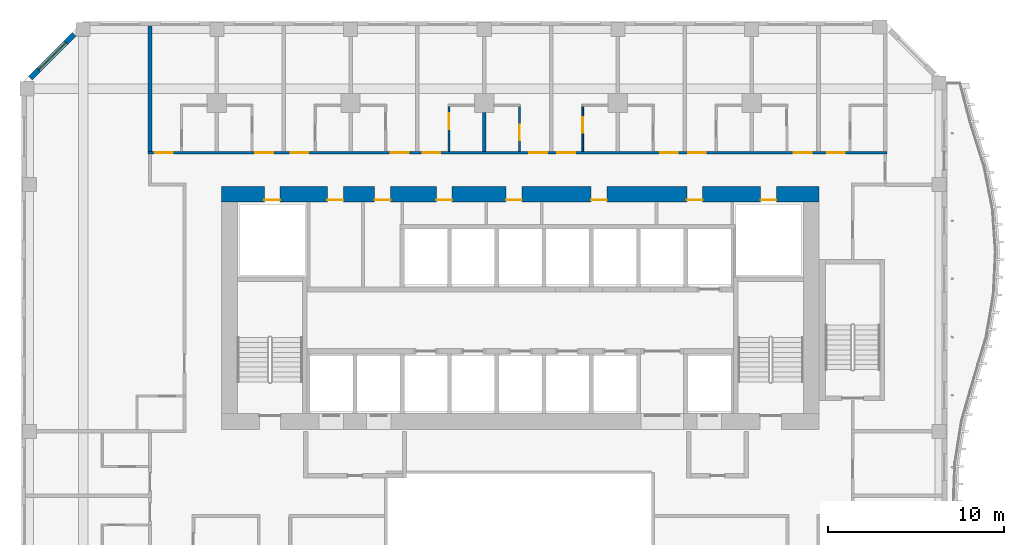
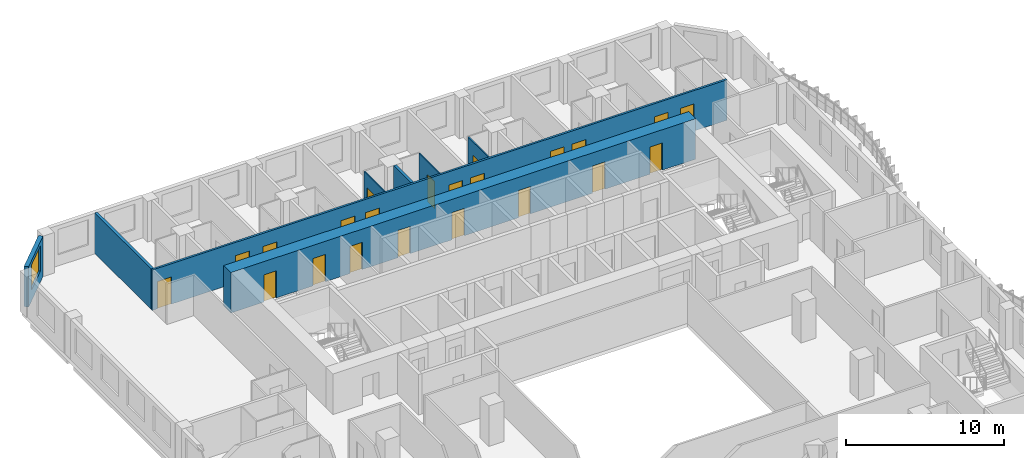
# One storey, part 8 of 22: 22 doors, 8 walls, 1 window, 23 openings.
"""IFC4 building model written with IfcOpenShell, lengths in metres."""

from ifc_helpers import new_model, si_unit, direction, frame, frame_2d, origin, place, context, subcontext, project, spatial, rectangle, extrude, source, transform, mapped, material, layer, layer_set, type_object, element, fill, save


model = new_model("IFC4")

# Units and contexts
model_context = context("Model", 3, precision=1e-05, world=origin(), true_north=direction((0.0, 1.0)))
body_context = subcontext(model_context, "Body", "Model", "MODEL_VIEW")
ifc_project = project(units=[si_unit("LENGTHUNIT", "METRE"), si_unit("AREAUNIT", "SQUARE_METRE"), si_unit("VOLUMEUNIT", "CUBIC_METRE"), si_unit("PLANEANGLEUNIT", "RADIAN"), si_unit("MASSUNIT", "GRAM", prefix="KILO")], contexts=[model_context])

# Site, building, storey
site_placement = place(None, origin())
site = spatial("IfcSite", under=ifc_project, at=site_placement, CompositionType="ELEMENT")
building_placement = place(site_placement, origin())
building = spatial("IfcBuilding", under=site, at=building_placement, Name="Kilnfold Tower and Market Hall", CompositionType="ELEMENT")
storey_placement = place(building_placement, frame((0.0, 0.0, 143.89990234375)))
storey = spatial("IfcBuildingStorey", under=building, at=storey_placement, Name="L32", CompositionType="ELEMENT", Elevation=143.89990234375)

# Wall, openings, doors
ifc_material_1 = material(Name="Gypsum board on steel studs", Category="steel")
ifc_layer_1 = layer(ifc_material_1, 0.14990234375)
ifc_layer_set_1 = layer_set([ifc_layer_1], Name="Gypsum board on steel studs")
wall_type_1 = type_object("IfcWallType", Name="WALL CORRIDOR 150", PredefinedType="PARTITIONING", material=ifc_layer_set_1)
wall_1_placement = place(storey_placement, frame((-20.05908203125, 23.800048828125, 0.0), z_axis=(0.0, 0.0, 1.0), x_axis=(1.0, 0.0, 0.0)))
wall_1 = element("IfcWall", 1, at=wall_1_placement, inside=storey, type_object=wall_type_1, Name="Partition LY21.25", PredefinedType="PARTITIONING", context=body_context, shape_type="SweptSolid", body=[
    extrude(rectangle(XDim=41.9091796875, YDim=0.14990234375, at=frame_2d((20.95458984375, 0.0))), origin(), (0.0, 0.0, 1.0), 3.1201171875),
])
opening_1_placement = place(wall_1_placement, frame((0.40087890625, 0.0, 0.0)))
opening_1 = element("IfcOpeningElement", 2, at=opening_1_placement, cuts=wall_1, Name="Opening D1", PredefinedType="OPENING", context=body_context, shape_type="SweptSolid", body=[
    extrude(rectangle(XDim=1.0, YDim=2.10009765625, at=frame_2d((0.5, 1.050048828125))), frame((0.0, 0.0849609375, 0.0), z_axis=(0.0, -1.0, 0.0), x_axis=(1.0, 0.0, 0.0)), (0.0, 0.0, 1.0), 0.169921875),
])
opening_2_placement = place(wall_1_placement, frame((6.08203125, 0.0, 0.0)))
opening_2 = element("IfcOpeningElement", 3, at=opening_2_placement, cuts=wall_1, Name="Opening D1", PredefinedType="OPENING", context=body_context, shape_type="SweptSolid", body=[
    extrude(rectangle(XDim=1.0, YDim=2.10009765625, at=frame_2d((0.5, 1.050048828125))), frame((0.0, 0.0849609375, 0.0), z_axis=(0.0, -1.0, 0.0), x_axis=(1.0, 0.0, 0.0)), (0.0, 0.0, 1.0), 0.169921875),
])
opening_3_placement = place(wall_1_placement, frame((8.080078125, 0.0, 0.0)))
opening_3 = element("IfcOpeningElement", 4, at=opening_3_placement, cuts=wall_1, Name="Opening D1", PredefinedType="OPENING", context=body_context, shape_type="SweptSolid", body=[
    extrude(rectangle(XDim=1.0, YDim=2.10009765625, at=frame_2d((0.5, 1.050048828125))), frame((0.0, 0.0849609375, 0.0), z_axis=(0.0, -1.0, 0.0), x_axis=(1.0, 0.0, 0.0)), (0.0, 0.0, 1.0), 0.169921875),
])
opening_4_placement = place(wall_1_placement, frame((13.76904296875, 0.0, 0.0)))
opening_4 = element("IfcOpeningElement", 5, at=opening_4_placement, cuts=wall_1, Name="Opening D1", PredefinedType="OPENING", context=body_context, shape_type="SweptSolid", body=[
    extrude(rectangle(XDim=1.0, YDim=2.10009765625, at=frame_2d((0.5, 1.050048828125))), frame((0.0, 0.0849609375, 0.0), z_axis=(0.0, -1.0, 0.0), x_axis=(1.0, 0.0, 0.0)), (0.0, 0.0, 1.0), 0.169921875),
])
opening_5_placement = place(wall_1_placement, frame((15.56005859375, 0.0, 0.0)))
opening_5 = element("IfcOpeningElement", 6, at=opening_5_placement, cuts=wall_1, Name="Opening D1", PredefinedType="OPENING", context=body_context, shape_type="SweptSolid", body=[
    extrude(rectangle(XDim=1.0, YDim=2.10009765625, at=frame_2d((0.5, 1.050048828125))), frame((0.0, 0.0849609375, 0.0), z_axis=(0.0, -1.0, 0.0), x_axis=(1.0, 0.0, 0.0)), (0.0, 0.0, 1.0), 0.169921875),
])
opening_6_placement = place(wall_1_placement, frame((21.625, 0.0, 0.0)))
opening_6 = element("IfcOpeningElement", 7, at=opening_6_placement, cuts=wall_1, Name="Opening D1", PredefinedType="OPENING", context=body_context, shape_type="SweptSolid", body=[
    extrude(rectangle(XDim=1.0, YDim=2.10009765625, at=frame_2d((0.5, 1.050048828125))), frame((0.0, 0.0849609375, 0.0), z_axis=(0.0, -1.0, 0.0), x_axis=(1.0, 0.0, 0.0)), (0.0, 0.0, 1.0), 0.169921875),
])
opening_7_placement = place(wall_1_placement, frame((23.2119140625, 0.0, 0.0)))
opening_7 = element("IfcOpeningElement", 8, at=opening_7_placement, cuts=wall_1, Name="Opening D1", PredefinedType="OPENING", context=body_context, shape_type="SweptSolid", body=[
    extrude(rectangle(XDim=1.0, YDim=2.10009765625, at=frame_2d((0.5, 1.050048828125))), frame((0.0, 0.0849609375, 0.0), z_axis=(0.0, -1.0, 0.0), x_axis=(1.0, 0.0, 0.0)), (0.0, 0.0, 1.0), 0.169921875),
])
opening_8_placement = place(wall_1_placement, frame((29.0380859375, 0.0, 0.0)))
opening_8 = element("IfcOpeningElement", 9, at=opening_8_placement, cuts=wall_1, Name="Opening D1", PredefinedType="OPENING", context=body_context, shape_type="SweptSolid", body=[
    extrude(rectangle(XDim=1.0, YDim=2.10009765625, at=frame_2d((0.5, 1.050048828125))), frame((0.0, 0.0849609375, 0.0), z_axis=(0.0, -1.0, 0.0), x_axis=(1.0, 0.0, 0.0)), (0.0, 0.0, 1.0), 0.169921875),
])
opening_9_placement = place(wall_1_placement, frame((30.6240234375, 0.0, 0.0)))
opening_9 = element("IfcOpeningElement", 10, at=opening_9_placement, cuts=wall_1, Name="Opening D1", PredefinedType="OPENING", context=body_context, shape_type="SweptSolid", body=[
    extrude(rectangle(XDim=1.0, YDim=2.10009765625, at=frame_2d((0.5, 1.050048828125))), frame((0.0, 0.0849609375, 0.0), z_axis=(0.0, -1.0, 0.0), x_axis=(1.0, 0.0, 0.0)), (0.0, 0.0, 1.0), 0.169921875),
])
opening_10_placement = place(wall_1_placement, frame((36.6220703125, 0.0, 0.0)))
opening_10 = element("IfcOpeningElement", 11, at=opening_10_placement, cuts=wall_1, Name="Opening D1", PredefinedType="OPENING", context=body_context, shape_type="SweptSolid", body=[
    extrude(rectangle(XDim=1.0, YDim=2.10009765625, at=frame_2d((0.5, 1.050048828125))), frame((0.0, 0.0849609375, 0.0), z_axis=(0.0, -1.0, 0.0), x_axis=(1.0, 0.0, 0.0)), (0.0, 0.0, 1.0), 0.169921875),
])
opening_11_placement = place(wall_1_placement, frame((38.51611328125, 0.0, 0.0)))
opening_11 = element("IfcOpeningElement", 12, at=opening_11_placement, cuts=wall_1, Name="Opening D1", PredefinedType="OPENING", context=body_context, shape_type="SweptSolid", body=[
    extrude(rectangle(XDim=1.0, YDim=2.10009765625, at=frame_2d((0.5, 1.050048828125))), frame((0.0, 0.0849609375, 0.0), z_axis=(0.0, -1.0, 0.0), x_axis=(1.0, 0.0, 0.0)), (0.0, 0.0, 1.0), 0.169921875),
])
ifc_material_2 = material(Name="Timber veneer door leaf in steel frame", Category="steel")
door_type_1 = type_object("IfcDoorType", Name="DOOR ENTRY 1000 X2100", OperationType="NOTDEFINED", PredefinedType="DOOR", material=ifc_material_2)
door_1_placement = place(opening_1_placement, origin())
door_1 = element("IfcDoor", 13, at=door_1_placement, inside=storey, type_object=door_type_1, Name="Door D1", OperationType="SINGLE_SWING_RIGHT", OverallHeight=2.10009765625, OverallWidth=1.0, PredefinedType="DOOR", context=body_context, shape_type="SweptSolid", body=[
    extrude(rectangle(XDim=1.0, YDim=2.10009765625, at=frame_2d((0.5, 1.050048828125))), frame((0.0, 0.02490234375, 0.0), z_axis=(0.0, -1.0, 0.0), x_axis=(1.0, 0.0, 0.0)), (0.0, 0.0, 1.0), 0.050048828125),
])
fill(opening_1, door_1)
door_2_placement = place(opening_2_placement, origin())
door_2 = element("IfcDoor", 14, at=door_2_placement, inside=storey, type_object=door_type_1, Name="Door D1", OperationType="SINGLE_SWING_LEFT", OverallHeight=2.10009765625, OverallWidth=1.0, PredefinedType="DOOR", context=body_context, shape_type="SweptSolid", body=[
    extrude(rectangle(XDim=1.0, YDim=2.10009765625, at=frame_2d((0.5, 1.050048828125))), frame((0.0, 0.02490234375, 0.0), z_axis=(0.0, -1.0, 0.0), x_axis=(1.0, 0.0, 0.0)), (0.0, 0.0, 1.0), 0.050048828125),
])
fill(opening_2, door_2)
door_3_placement = place(opening_3_placement, origin())
door_3 = element("IfcDoor", 15, at=door_3_placement, inside=storey, type_object=door_type_1, Name="Door D1", OperationType="SINGLE_SWING_LEFT", OverallHeight=2.10009765625, OverallWidth=1.0, PredefinedType="DOOR", context=body_context, shape_type="SweptSolid", body=[
    extrude(rectangle(XDim=1.0, YDim=2.10009765625, at=frame_2d((0.5, 1.050048828125))), frame((0.0, 0.02490234375, 0.0), z_axis=(0.0, -1.0, 0.0), x_axis=(1.0, 0.0, 0.0)), (0.0, 0.0, 1.0), 0.050048828125),
])
fill(opening_3, door_3)
door_4_placement = place(opening_4_placement, origin())
door_4 = element("IfcDoor", 16, at=door_4_placement, inside=storey, type_object=door_type_1, Name="Door D1", OperationType="SINGLE_SWING_RIGHT", OverallHeight=2.10009765625, OverallWidth=1.0, PredefinedType="DOOR", context=body_context, shape_type="SweptSolid", body=[
    extrude(rectangle(XDim=1.0, YDim=2.10009765625, at=frame_2d((0.5, 1.050048828125))), frame((0.0, 0.02490234375, 0.0), z_axis=(0.0, -1.0, 0.0), x_axis=(1.0, 0.0, 0.0)), (0.0, 0.0, 1.0), 0.050048828125),
])
fill(opening_4, door_4)
door_5_placement = place(opening_5_placement, origin())
door_5 = element("IfcDoor", 17, at=door_5_placement, inside=storey, type_object=door_type_1, Name="Door D1", OperationType="SINGLE_SWING_RIGHT", OverallHeight=2.10009765625, OverallWidth=1.0, PredefinedType="DOOR", context=body_context, shape_type="SweptSolid", body=[
    extrude(rectangle(XDim=1.0, YDim=2.10009765625, at=frame_2d((0.5, 1.050048828125))), frame((0.0, 0.02490234375, 0.0), z_axis=(0.0, -1.0, 0.0), x_axis=(1.0, 0.0, 0.0)), (0.0, 0.0, 1.0), 0.050048828125),
])
fill(opening_5, door_5)
door_6_placement = place(opening_6_placement, origin())
door_6 = element("IfcDoor", 18, at=door_6_placement, inside=storey, type_object=door_type_1, Name="Door D1", OperationType="SINGLE_SWING_RIGHT", OverallHeight=2.10009765625, OverallWidth=1.0, PredefinedType="DOOR", context=body_context, shape_type="SweptSolid", body=[
    extrude(rectangle(XDim=1.0, YDim=2.10009765625, at=frame_2d((0.5, 1.050048828125))), frame((0.0, 0.02490234375, 0.0), z_axis=(0.0, -1.0, 0.0), x_axis=(1.0, 0.0, 0.0)), (0.0, 0.0, 1.0), 0.050048828125),
])
fill(opening_6, door_6)
door_7_placement = place(opening_7_placement, origin())
door_7 = element("IfcDoor", 19, at=door_7_placement, inside=storey, type_object=door_type_1, Name="Door D1", OperationType="SINGLE_SWING_LEFT", OverallHeight=2.10009765625, OverallWidth=1.0, PredefinedType="DOOR", context=body_context, shape_type="SweptSolid", body=[
    extrude(rectangle(XDim=1.0, YDim=2.10009765625, at=frame_2d((0.5, 1.050048828125))), frame((0.0, 0.02490234375, 0.0), z_axis=(0.0, -1.0, 0.0), x_axis=(1.0, 0.0, 0.0)), (0.0, 0.0, 1.0), 0.050048828125),
])
fill(opening_7, door_7)
door_8_placement = place(opening_8_placement, origin())
door_8 = element("IfcDoor", 20, at=door_8_placement, inside=storey, type_object=door_type_1, Name="Door D1", OperationType="SINGLE_SWING_LEFT", OverallHeight=2.10009765625, OverallWidth=1.0, PredefinedType="DOOR", context=body_context, shape_type="SweptSolid", body=[
    extrude(rectangle(XDim=1.0, YDim=2.10009765625, at=frame_2d((0.5, 1.050048828125))), frame((0.0, 0.02490234375, 0.0), z_axis=(0.0, -1.0, 0.0), x_axis=(1.0, 0.0, 0.0)), (0.0, 0.0, 1.0), 0.050048828125),
])
fill(opening_8, door_8)
door_9_placement = place(opening_9_placement, origin())
door_9 = element("IfcDoor", 21, at=door_9_placement, inside=storey, type_object=door_type_1, Name="Door D1", OperationType="SINGLE_SWING_LEFT", OverallHeight=2.10009765625, OverallWidth=1.0, PredefinedType="DOOR", context=body_context, shape_type="SweptSolid", body=[
    extrude(rectangle(XDim=1.0, YDim=2.10009765625, at=frame_2d((0.5, 1.050048828125))), frame((0.0, 0.02490234375, 0.0), z_axis=(0.0, -1.0, 0.0), x_axis=(1.0, 0.0, 0.0)), (0.0, 0.0, 1.0), 0.050048828125),
])
fill(opening_9, door_9)
door_10_placement = place(opening_10_placement, origin())
door_10 = element("IfcDoor", 22, at=door_10_placement, inside=storey, type_object=door_type_1, Name="Door D1", OperationType="SINGLE_SWING_LEFT", OverallHeight=2.10009765625, OverallWidth=1.0, PredefinedType="DOOR", context=body_context, shape_type="SweptSolid", body=[
    extrude(rectangle(XDim=1.0, YDim=2.10009765625, at=frame_2d((0.5, 1.050048828125))), frame((0.0, 0.02490234375, 0.0), z_axis=(0.0, -1.0, 0.0), x_axis=(1.0, 0.0, 0.0)), (0.0, 0.0, 1.0), 0.050048828125),
])
fill(opening_10, door_10)
door_11_placement = place(opening_11_placement, origin())
door_11 = element("IfcDoor", 23, at=door_11_placement, inside=storey, type_object=door_type_1, Name="Door D1", OperationType="SINGLE_SWING_RIGHT", OverallHeight=2.10009765625, OverallWidth=1.0, PredefinedType="DOOR", context=body_context, shape_type="SweptSolid", body=[
    extrude(rectangle(XDim=1.0, YDim=2.10009765625, at=frame_2d((0.5, 1.050048828125))), frame((0.0, 0.02490234375, 0.0), z_axis=(0.0, -1.0, 0.0), x_axis=(1.0, 0.0, 0.0)), (0.0, 0.0, 1.0), 0.050048828125),
])
fill(opening_11, door_11)

# Wall, opening, door
ifc_material_3 = material(Name="Gypsum board on steel studs", Category="steel")
ifc_layer_2 = layer(ifc_material_3, 0.10009765625)
ifc_layer_set_2 = layer_set([ifc_layer_2], Name="Gypsum board on steel studs")
wall_type_2 = type_object("IfcWallType", Name="WALL PARTITION 100", PredefinedType="PARTITIONING", material=ifc_layer_set_2)
wall_2_placement = place(storey_placement, frame((-3.0, 23.876953125, 0.0), z_axis=(0.0, 0.0, 1.0), x_axis=(0.0, 1.0, 0.0)))
wall_2 = element("IfcWall", 24, at=wall_2_placement, inside=storey, type_object=wall_type_2, Name="Partition LY21.98", PredefinedType="PARTITIONING", context=body_context, shape_type="SweptSolid", body=[
    extrude(rectangle(XDim=2.574951171875, YDim=0.10009765625, at=frame_2d((1.28759765625, 0.0))), origin(), (0.0, 0.0, 1.0), 3.1201171875),
])
opening_12_placement = place(wall_2_placement, frame((1.262939453125, 0.0, 0.0)))
opening_12 = element("IfcOpeningElement", 25, at=opening_12_placement, cuts=wall_2, Name="Opening D3", PredefinedType="OPENING", context=body_context, shape_type="SweptSolid", body=[
    extrude(rectangle(XDim=0.89990234375, YDim=2.10009765625, at=frame_2d((0.449951171875, 1.050048828125))), frame((0.0, 0.06005859375, 0.0), z_axis=(0.0, -1.0, 0.0), x_axis=(1.0, 0.0, 0.0)), (0.0, 0.0, 1.0), 0.1201171875),
])
ifc_material_4 = material(Name="Timber veneer door leaf in steel frame", Category="steel")
door_type_2 = type_object("IfcDoorType", Name="DOOR WC 900 X2100", OperationType="NOTDEFINED", PredefinedType="DOOR", material=ifc_material_4)
door_12_placement = place(opening_12_placement, origin())
door_12 = element("IfcDoor", 26, at=door_12_placement, inside=storey, type_object=door_type_2, Name="Door D3", OperationType="SINGLE_SWING_LEFT", OverallHeight=2.10009765625, OverallWidth=0.89990234375, PredefinedType="DOOR", context=body_context, shape_type="SweptSolid", body=[
    extrude(rectangle(XDim=0.89990234375, YDim=2.10009765625, at=frame_2d((0.449951171875, 1.050048828125))), frame((0.0, 0.02490234375, 0.0), z_axis=(0.0, -1.0, 0.0), x_axis=(1.0, 0.0, 0.0)), (0.0, 0.0, 1.0), 0.050048828125),
])
fill(opening_12, door_12)

wall_3_placement = place(storey_placement, frame((1.0, 23.876953125, 0.0), z_axis=(0.0, 0.0, 1.0), x_axis=(0.0, 1.0, 0.0)))
wall_3 = element("IfcWall", 27, at=wall_3_placement, inside=storey, type_object=wall_type_2, Name="Partition LY21.102", PredefinedType="PARTITIONING", context=body_context, shape_type="SweptSolid", body=[
    extrude(rectangle(XDim=2.574951171875, YDim=0.10009765625, at=frame_2d((1.28759765625, 0.0))), origin(), (0.0, 0.0, 1.0), 3.1201171875),
])
opening_13_placement = place(wall_3_placement, frame((0.625, 0.0, 0.0)))
opening_13 = element("IfcOpeningElement", 28, at=opening_13_placement, cuts=wall_3, Name="Opening D3", PredefinedType="OPENING", context=body_context, shape_type="SweptSolid", body=[
    extrude(rectangle(XDim=0.89990234375, YDim=2.10009765625, at=frame_2d((0.449951171875, 1.050048828125))), frame((0.0, 0.06005859375, 0.0), z_axis=(0.0, -1.0, 0.0), x_axis=(1.0, 0.0, 0.0)), (0.0, 0.0, 1.0), 0.1201171875),
])
door_13_placement = place(opening_13_placement, origin())
door_13 = element("IfcDoor", 29, at=door_13_placement, inside=storey, type_object=door_type_2, Name="Door D3", OperationType="SINGLE_SWING_LEFT", OverallHeight=2.10009765625, OverallWidth=0.89990234375, PredefinedType="DOOR", context=body_context, shape_type="SweptSolid", body=[
    extrude(rectangle(XDim=0.89990234375, YDim=2.10009765625, at=frame_2d((0.449951171875, 1.050048828125))), frame((0.0, 0.02490234375, 0.0), z_axis=(0.0, -1.0, 0.0), x_axis=(1.0, 0.0, 0.0)), (0.0, 0.0, 1.0), 0.050048828125),
])
fill(opening_13, door_13)

wall_4_placement = place(storey_placement, frame((4.5830078125, 23.876953125, 0.0), z_axis=(0.0, 0.0, 1.0), x_axis=(0.0, 1.0, 0.0)))
wall_4 = element("IfcWall", 30, at=wall_4_placement, inside=storey, type_object=wall_type_2, Name="Partition LY21.105", PredefinedType="PARTITIONING", context=body_context, shape_type="SweptSolid", body=[
    extrude(rectangle(XDim=2.574951171875, YDim=0.10009765625, at=frame_2d((1.28759765625, 0.0))), origin(), (0.0, 0.0, 1.0), 3.1201171875),
])
opening_14_placement = place(wall_4_placement, frame((1.050048828125, 0.0, 0.0)))
opening_14 = element("IfcOpeningElement", 31, at=opening_14_placement, cuts=wall_4, Name="Opening D3", PredefinedType="OPENING", context=body_context, shape_type="SweptSolid", body=[
    extrude(rectangle(XDim=0.89990234375, YDim=2.10009765625, at=frame_2d((0.449951171875, 1.050048828125))), frame((0.0, 0.06005859375, 0.0), z_axis=(0.0, -1.0, 0.0), x_axis=(1.0, 0.0, 0.0)), (0.0, 0.0, 1.0), 0.1201171875),
])
door_14_placement = place(opening_14_placement, origin())
door_14 = element("IfcDoor", 32, at=door_14_placement, inside=storey, type_object=door_type_2, Name="Door D3", OperationType="SINGLE_SWING_LEFT", OverallHeight=2.10009765625, OverallWidth=0.89990234375, PredefinedType="DOOR", context=body_context, shape_type="SweptSolid", body=[
    extrude(rectangle(XDim=0.89990234375, YDim=2.10009765625, at=frame_2d((0.449951171875, 1.050048828125))), frame((0.0, 0.02490234375, 0.0), z_axis=(0.0, -1.0, 0.0), x_axis=(1.0, 0.0, 0.0)), (0.0, 0.0, 1.0), 0.050048828125),
])
fill(opening_14, door_14)

# Walls
ifc_material_5 = material(Name="Gypsum board on steel studs", Category="steel")
ifc_layer_3 = layer(ifc_material_5, 0.199951171875)
ifc_layer_set_3 = layer_set([ifc_layer_3], Name="Gypsum board on steel studs")
wall_type_3 = type_object("IfcWallType", Name="WALL PARTY 200", PredefinedType="PARTITIONING", material=ifc_layer_set_3)
wall_5_placement = place(storey_placement, frame((-19.958984375, 23.876953125, 0.0), z_axis=(0.0, 0.0, 1.0), x_axis=(0.0, 1.0, 0.0)))
element("IfcWall", 33, at=wall_5_placement, inside=storey, type_object=wall_type_3, Name="Partition LY21.82", PredefinedType="PARTITIONING", context=body_context, shape_type="SweptSolid", body=[
    extrude(rectangle(XDim=7.123046875, YDim=0.199951171875, at=frame_2d((3.5615234375, 0.0))), origin(), (0.0, 0.0, 1.0), 3.1201171875),
])
wall_6_placement = place(storey_placement, frame((-1.0, 23.876953125, 0.0), z_axis=(0.0, 0.0, 1.0), x_axis=(0.0, 1.0, 0.0)))
element("IfcWall", 34, at=wall_6_placement, inside=storey, type_object=wall_type_3, Name="Partition LY21.100", PredefinedType="PARTITIONING", context=body_context, shape_type="SweptSolid", body=[
    extrude(rectangle(XDim=2.197998046875, YDim=0.199951171875, at=frame_2d((1.09912109375, 0.0))), origin(), (0.0, 0.0, 1.0), 3.1201171875),
])

# Wall, openings, doors
ifc_material_6 = material(Name="Concrete C70", Category="concrete")
ifc_layer_4 = layer(ifc_material_6, 0.89990234375)
ifc_layer_set_4 = layer_set([ifc_layer_4], Name="Concrete C70")
wall_type_4 = type_object("IfcWallType", Name="CORE WALL 900 C70", PredefinedType="SHEAR", material=ifc_layer_set_4)
shared_shape_1 = source(origin(), body_context, "Body", "SweptSolid", [
    extrude(rectangle(XDim=33.89990234375, YDim=0.89990234375, at=frame_2d((16.949951171875, 0.0))), origin(), (0.0, 0.0, 1.0), 3.1201171875),
])
wall_7_placement = place(storey_placement, frame((-15.89990234375, 21.449951171875, 0.0), z_axis=(0.0, 0.0, 1.0), x_axis=(1.0, 0.0, 0.0)))
wall_7 = element("IfcWall", 35, at=wall_7_placement, inside=storey, type_object=wall_type_4, Name="Core outer wall north", PredefinedType="SHEAR", context=body_context, shape_type="MappedRepresentation", body=[
    mapped(shared_shape_1, transform((0.0, 0.0, 0.0))),
])
opening_15_placement = place(wall_7_placement, frame((6.0078125, 0.0, 0.0)))
opening_15 = element("IfcOpeningElement", 36, at=opening_15_placement, cuts=wall_7, Name="Opening KD1", PredefinedType="OPENING", context=body_context, shape_type="SweptSolid", body=[
    extrude(rectangle(XDim=0.89990234375, YDim=2.10009765625, at=frame_2d((0.449951171875, 1.050048828125))), frame((0.0, 0.4599609375, 0.0), z_axis=(0.0, -1.0, 0.0), x_axis=(1.0, 0.0, 0.0)), (0.0, 0.0, 1.0), 0.919921875),
])
opening_16_placement = place(wall_7_placement, frame((8.687744140625, 0.0, 0.0)))
opening_16 = element("IfcOpeningElement", 37, at=opening_16_placement, cuts=wall_7, Name="Opening KD1", PredefinedType="OPENING", context=body_context, shape_type="SweptSolid", body=[
    extrude(rectangle(XDim=0.89990234375, YDim=2.10009765625, at=frame_2d((0.449951171875, 1.050048828125))), frame((0.0, 0.4599609375, 0.0), z_axis=(0.0, -1.0, 0.0), x_axis=(1.0, 0.0, 0.0)), (0.0, 0.0, 1.0), 0.919921875),
])
opening_17_placement = place(wall_7_placement, frame((12.185302734375, 0.0, 0.0)))
opening_17 = element("IfcOpeningElement", 38, at=opening_17_placement, cuts=wall_7, Name="Opening KD1", PredefinedType="OPENING", context=body_context, shape_type="SweptSolid", body=[
    extrude(rectangle(XDim=0.89990234375, YDim=2.10009765625, at=frame_2d((0.449951171875, 1.050048828125))), frame((0.0, 0.4599609375, 0.0), z_axis=(0.0, -1.0, 0.0), x_axis=(1.0, 0.0, 0.0)), (0.0, 0.0, 1.0), 0.919921875),
])
opening_18_placement = place(wall_7_placement, frame((16.13818359375, 0.0, 0.0)))
opening_18 = element("IfcOpeningElement", 39, at=opening_18_placement, cuts=wall_7, Name="Opening KD1", PredefinedType="OPENING", context=body_context, shape_type="SweptSolid", body=[
    extrude(rectangle(XDim=0.89990234375, YDim=2.10009765625, at=frame_2d((0.449951171875, 1.050048828125))), frame((0.0, 0.4599609375, 0.0), z_axis=(0.0, -1.0, 0.0), x_axis=(1.0, 0.0, 0.0)), (0.0, 0.0, 1.0), 0.919921875),
])
opening_19_placement = place(wall_7_placement, frame((20.962158203125, 0.0, 0.0)))
opening_19 = element("IfcOpeningElement", 40, at=opening_19_placement, cuts=wall_7, Name="Opening KD1", PredefinedType="OPENING", context=body_context, shape_type="SweptSolid", body=[
    extrude(rectangle(XDim=0.89990234375, YDim=2.10009765625, at=frame_2d((0.449951171875, 1.050048828125))), frame((0.0, 0.4599609375, 0.0), z_axis=(0.0, -1.0, 0.0), x_axis=(1.0, 0.0, 0.0)), (0.0, 0.0, 1.0), 0.919921875),
])
opening_20_placement = place(wall_7_placement, frame((26.38916015625, 0.0, 0.0)))
opening_20 = element("IfcOpeningElement", 41, at=opening_20_placement, cuts=wall_7, Name="Opening KD1", PredefinedType="OPENING", context=body_context, shape_type="SweptSolid", body=[
    extrude(rectangle(XDim=0.89990234375, YDim=2.10009765625, at=frame_2d((0.449951171875, 1.050048828125))), frame((0.0, 0.4599609375, 0.0), z_axis=(0.0, -1.0, 0.0), x_axis=(1.0, 0.0, 0.0)), (0.0, 0.0, 1.0), 0.919921875),
])
opening_21_placement = place(wall_7_placement, frame((2.425048828125, 0.0, 0.0)))
opening_21 = element("IfcOpeningElement", 42, at=opening_21_placement, cuts=wall_7, Name="Opening KD1", PredefinedType="OPENING", context=body_context, shape_type="SweptSolid", body=[
    extrude(rectangle(XDim=0.89990234375, YDim=2.10009765625, at=frame_2d((0.449951171875, 1.050048828125))), frame((0.0, 0.4599609375, 0.0), z_axis=(0.0, -1.0, 0.0), x_axis=(1.0, 0.0, 0.0)), (0.0, 0.0, 1.0), 0.919921875),
])
opening_22_placement = place(wall_7_placement, frame((30.574951171875, 0.0, 0.0)))
opening_22 = element("IfcOpeningElement", 43, at=opening_22_placement, cuts=wall_7, Name="Opening KD1", PredefinedType="OPENING", context=body_context, shape_type="SweptSolid", body=[
    extrude(rectangle(XDim=0.89990234375, YDim=2.10009765625, at=frame_2d((0.449951171875, 1.050048828125))), frame((0.0, 0.4599609375, 0.0), z_axis=(0.0, -1.0, 0.0), x_axis=(1.0, 0.0, 0.0)), (0.0, 0.0, 1.0), 0.919921875),
])
ifc_material_7 = material(Name="Steel door set with fire-resisting leaf", Category="steel")
door_type_3 = type_object("IfcDoorType", Name="SERVICE DOOR 900X2100", OperationType="NOTDEFINED", PredefinedType="DOOR", material=ifc_material_7)
door_15_placement = place(opening_15_placement, origin())
door_15 = element("IfcDoor", 44, at=door_15_placement, inside=storey, type_object=door_type_3, Name="Core service door", OperationType="SINGLE_SWING_RIGHT", OverallHeight=2.10009765625, OverallWidth=0.89990234375, PredefinedType="DOOR", context=body_context, shape_type="SweptSolid", body=[
    extrude(rectangle(XDim=0.89990234375, YDim=2.10009765625, at=frame_2d((0.449951171875, 1.050048828125))), frame((0.0, -0.30517578125, 0.0), z_axis=(0.0, -1.0, 0.0), x_axis=(1.0, 0.0, 0.0)), (0.0, 0.0, 1.0), 0.050048828125),
])
fill(opening_15, door_15)
door_16_placement = place(opening_16_placement, origin())
door_16 = element("IfcDoor", 45, at=door_16_placement, inside=storey, type_object=door_type_3, Name="Core service door", OperationType="SINGLE_SWING_LEFT", OverallHeight=2.10009765625, OverallWidth=0.89990234375, PredefinedType="DOOR", context=body_context, shape_type="SweptSolid", body=[
    extrude(rectangle(XDim=0.89990234375, YDim=2.10009765625, at=frame_2d((0.449951171875, 1.050048828125))), frame((0.0, -0.30517578125, 0.0), z_axis=(0.0, -1.0, 0.0), x_axis=(1.0, 0.0, 0.0)), (0.0, 0.0, 1.0), 0.050048828125),
])
fill(opening_16, door_16)
door_17_placement = place(opening_17_placement, origin())
door_17 = element("IfcDoor", 46, at=door_17_placement, inside=storey, type_object=door_type_3, Name="Core service door", OperationType="SINGLE_SWING_RIGHT", OverallHeight=2.10009765625, OverallWidth=0.89990234375, PredefinedType="DOOR", context=body_context, shape_type="SweptSolid", body=[
    extrude(rectangle(XDim=0.89990234375, YDim=2.10009765625, at=frame_2d((0.449951171875, 1.050048828125))), frame((0.0, -0.30517578125, 0.0), z_axis=(0.0, -1.0, 0.0), x_axis=(1.0, 0.0, 0.0)), (0.0, 0.0, 1.0), 0.050048828125),
])
fill(opening_17, door_17)
door_18_placement = place(opening_18_placement, origin())
door_18 = element("IfcDoor", 47, at=door_18_placement, inside=storey, type_object=door_type_3, Name="Core service door", OperationType="SINGLE_SWING_LEFT", OverallHeight=2.10009765625, OverallWidth=0.89990234375, PredefinedType="DOOR", context=body_context, shape_type="SweptSolid", body=[
    extrude(rectangle(XDim=0.89990234375, YDim=2.10009765625, at=frame_2d((0.449951171875, 1.050048828125))), frame((0.0, -0.30517578125, 0.0), z_axis=(0.0, -1.0, 0.0), x_axis=(1.0, 0.0, 0.0)), (0.0, 0.0, 1.0), 0.050048828125),
])
fill(opening_18, door_18)
door_19_placement = place(opening_19_placement, origin())
door_19 = element("IfcDoor", 48, at=door_19_placement, inside=storey, type_object=door_type_3, Name="Core service door", OperationType="SINGLE_SWING_RIGHT", OverallHeight=2.10009765625, OverallWidth=0.89990234375, PredefinedType="DOOR", context=body_context, shape_type="SweptSolid", body=[
    extrude(rectangle(XDim=0.89990234375, YDim=2.10009765625, at=frame_2d((0.449951171875, 1.050048828125))), frame((0.0, -0.30517578125, 0.0), z_axis=(0.0, -1.0, 0.0), x_axis=(1.0, 0.0, 0.0)), (0.0, 0.0, 1.0), 0.050048828125),
])
fill(opening_19, door_19)
door_20_placement = place(opening_20_placement, origin())
door_20 = element("IfcDoor", 49, at=door_20_placement, inside=storey, type_object=door_type_3, Name="Core service door", OperationType="SINGLE_SWING_LEFT", OverallHeight=2.10009765625, OverallWidth=0.89990234375, PredefinedType="DOOR", context=body_context, shape_type="SweptSolid", body=[
    extrude(rectangle(XDim=0.89990234375, YDim=2.10009765625, at=frame_2d((0.449951171875, 1.050048828125))), frame((0.0, -0.30517578125, 0.0), z_axis=(0.0, -1.0, 0.0), x_axis=(1.0, 0.0, 0.0)), (0.0, 0.0, 1.0), 0.050048828125),
])
fill(opening_20, door_20)
door_21_placement = place(opening_21_placement, origin())
door_21 = element("IfcDoor", 50, at=door_21_placement, inside=storey, type_object=door_type_3, Name="Electrical riser access door", OperationType="SINGLE_SWING_RIGHT", OverallHeight=2.10009765625, OverallWidth=0.89990234375, PredefinedType="DOOR", context=body_context, shape_type="SweptSolid", body=[
    extrude(rectangle(XDim=0.89990234375, YDim=2.10009765625, at=frame_2d((0.449951171875, 1.050048828125))), frame((0.0, -0.30517578125, 0.0), z_axis=(0.0, -1.0, 0.0), x_axis=(1.0, 0.0, 0.0)), (0.0, 0.0, 1.0), 0.050048828125),
])
fill(opening_21, door_21)
door_22_placement = place(opening_22_placement, origin())
door_22 = element("IfcDoor", 51, at=door_22_placement, inside=storey, type_object=door_type_3, Name="Mechanical riser access door", OperationType="SINGLE_SWING_LEFT", OverallHeight=2.10009765625, OverallWidth=0.89990234375, PredefinedType="DOOR", context=body_context, shape_type="SweptSolid", body=[
    extrude(rectangle(XDim=0.89990234375, YDim=2.10009765625, at=frame_2d((0.449951171875, 1.050048828125))), frame((0.0, -0.30517578125, 0.0), z_axis=(0.0, -1.0, 0.0), x_axis=(1.0, 0.0, 0.0)), (0.0, 0.0, 1.0), 0.050048828125),
])
fill(opening_22, door_22)

# Wall, opening, window
ifc_material_8 = material(Name="Precast concrete C50/60", Category="concrete")
ifc_layer_5 = layer(ifc_material_8, 0.300048828125)
ifc_layer_set_5 = layer_set([ifc_layer_5], Name="Precast concrete C50/60")
wall_type_5 = type_object("IfcWallType", Name="PRECAST WALL 300", PredefinedType="SOLIDWALL", material=ifc_layer_set_5)
shared_shape_2 = source(origin(), body_context, "Body", "SweptSolid", [
    extrude(rectangle(XDim=3.500244140625, YDim=0.300048828125, at=frame_2d((1.75, 0.0))), origin(), (0.0, 0.0, 1.0), 3.1201171875),
])
wall_8_placement = place(storey_placement, frame((-24.268798828125, 30.518798828125, 0.0), z_axis=(0.0, 0.0, 1.0), x_axis=(-0.707141656123, -0.70707190453, 0.0)))
wall_8 = element("IfcWall", 52, at=wall_8_placement, inside=storey, type_object=wall_type_5, Name="External wall L32 NW", PredefinedType="SOLIDWALL", context=body_context, shape_type="MappedRepresentation", body=[
    mapped(shared_shape_2, transform((0.0, 0.0, 0.0))),
])
opening_23_placement = place(wall_8_placement, frame((0.650146484375, 0.0, 0.85009765625)))
opening_23 = element("IfcOpeningElement", 53, at=opening_23_placement, cuts=wall_8, Name="Opening W2", PredefinedType="OPENING", context=body_context, shape_type="SweptSolid", body=[
    extrude(rectangle(XDim=2.199951171875, YDim=1.949951171875, at=frame_2d((1.10009765625, 0.97509765625))), frame((0.0, 0.16015625, 0.0), z_axis=(0.0, -1.0, 0.0), x_axis=(1.0, 0.0, 0.0)), (0.0, 0.0, 1.0), 0.320068359375),
])
ifc_material_9 = material(Name="Aluminium frame and double glazing", Category="aluminium")
window_type = type_object("IfcWindowType", Name="WINDOW W2 2200X1950", PartitioningType="SINGLE_PANEL", PredefinedType="WINDOW", material=ifc_material_9)
window_placement = place(opening_23_placement, origin())
window = element("IfcWindow", 54, at=window_placement, inside=storey, type_object=window_type, Name="Window W2 L32 NW-1", OverallHeight=1.949951171875, OverallWidth=2.199951171875, PartitioningType="SINGLE_PANEL", PredefinedType="WINDOW", context=body_context, shape_type="SweptSolid", body=[
    extrude(rectangle(XDim=2.199951171875, YDim=1.949951171875, at=frame_2d((1.10009765625, 0.97509765625))), frame((0.0, 0.030029296875, 0.0), z_axis=(0.0, -1.0, 0.0), x_axis=(1.0, 0.0, 0.0)), (0.0, 0.0, 1.0), 0.06005859375),
])
fill(opening_23, window)

save(model, "model.ifc")
